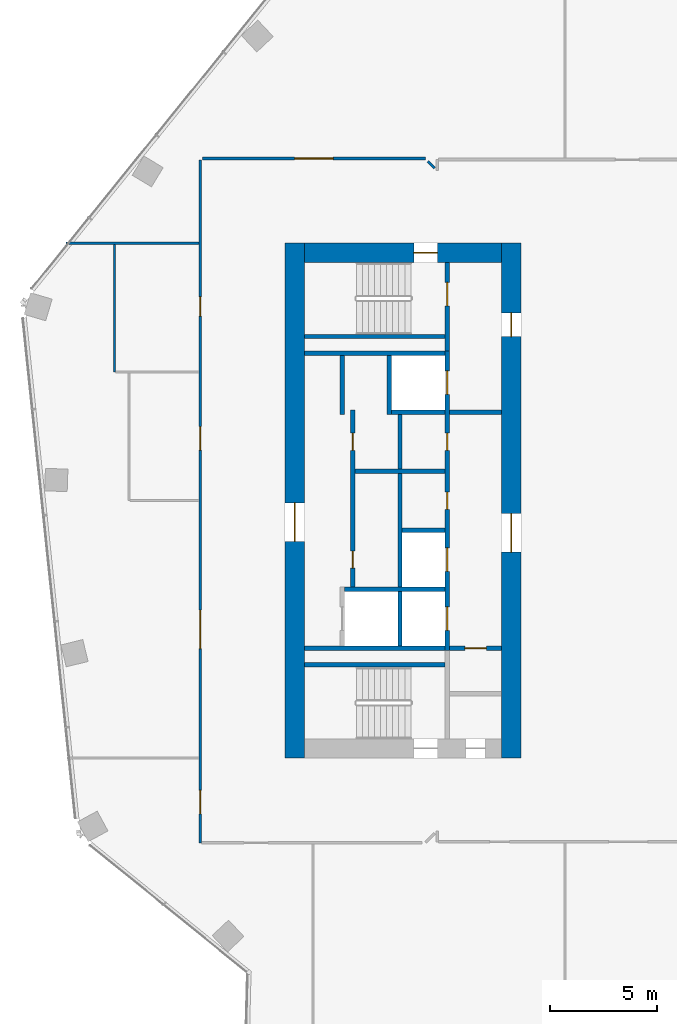
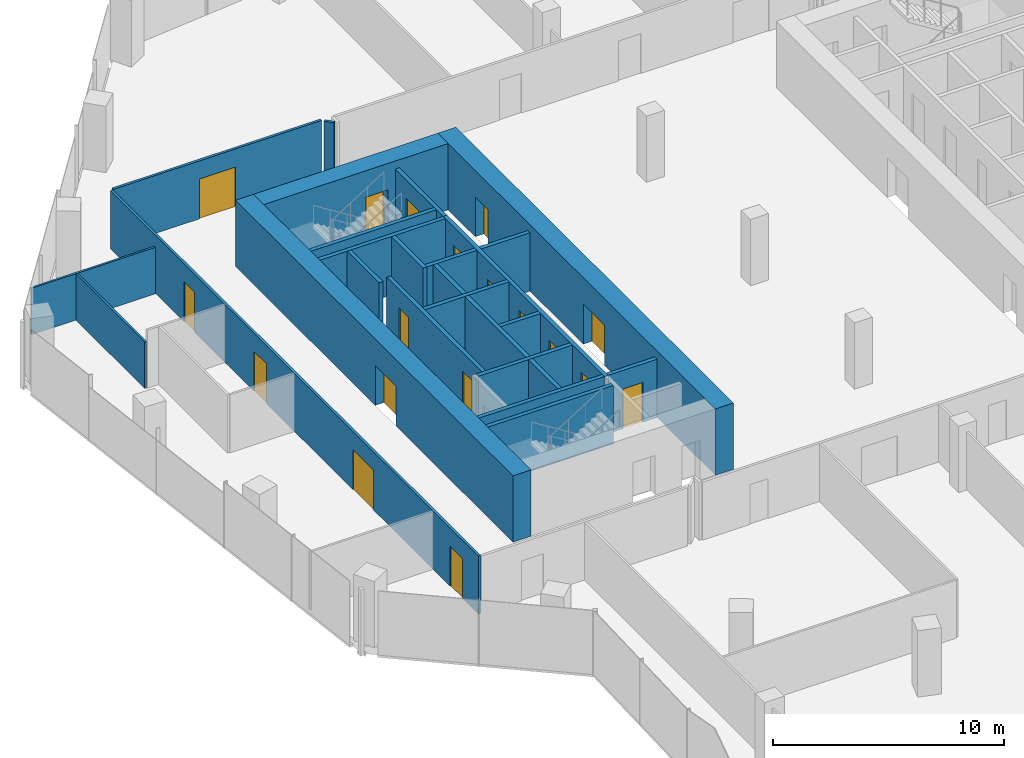
# One storey, part 19 of 23: 26 walls, 18 doors, 18 openings.
"""IFC4 building model written with IfcOpenShell, lengths in metres."""

from ifc_helpers import new_model, si_unit, direction, frame, frame_2d, origin, place, context, subcontext, project, spatial, rectangle, extrude, material, layer, layer_set, type_object, element, fill, save


model = new_model("IFC4")

# Units and contexts
model_context = context("Model", 3, precision=1e-05, world=origin(), true_north=direction((0.0, 1.0)))
body_context = subcontext(model_context, "Body", "Model", "MODEL_VIEW")
ifc_project = project(units=[si_unit("LENGTHUNIT", "METRE"), si_unit("AREAUNIT", "SQUARE_METRE"), si_unit("VOLUMEUNIT", "CUBIC_METRE"), si_unit("PLANEANGLEUNIT", "RADIAN"), si_unit("MASSUNIT", "GRAM", prefix="KILO")], contexts=[model_context])

# Site, building, storey
site_placement = place(None, origin())
site = spatial("IfcSite", under=ifc_project, at=site_placement, CompositionType="ELEMENT")
building_placement = place(site_placement, origin())
building = spatial("IfcBuilding", under=site, at=building_placement, Name="Orlundy Tower", CompositionType="ELEMENT")
storey_placement = place(building_placement, frame((0.0, 0.0, 224.5)))
storey = spatial("IfcBuildingStorey", under=building, at=storey_placement, Name="L59", CompositionType="ELEMENT", Elevation=224.5)

# Wall, opening, door
ifc_material_1 = material(Name="Concrete C60/75", Category="concrete")
ifc_layer_1 = layer(ifc_material_1, 0.89990234375)
ifc_layer_set_1 = layer_set([ifc_layer_1], Name="CORE WALL 900 C60/75")
wall_type_1 = type_object("IfcWallType", Name="CORE WALL 900 C60/75", PredefinedType="SHEAR", material=ifc_layer_set_1)
wall_1_placement = place(storey_placement, frame((-18.10009765625, 11.550048828125, 0.0), z_axis=(0.0, 0.0, 1.0), x_axis=(1.0, 0.0, 0.0)))
wall_1 = element("IfcWall", 1, at=wall_1_placement, inside=storey, type_object=wall_type_1, Name="Core wall W-N L59", PredefinedType="SHEAR", context=body_context, shape_type="SweptSolid", body=[
    extrude(rectangle(XDim=9.2001953125, YDim=0.89990234375, at=frame_2d((4.60009765625, 0.0))), origin(), (0.0, 0.0, 1.0), 3.5),
])
opening_1_placement = place(wall_1_placement, frame((5.10009765625, 0.0, 0.0)))
opening_1 = element("IfcOpeningElement", 2, at=opening_1_placement, cuts=wall_1, Name="Opening 45012", PredefinedType="OPENING", context=body_context, shape_type="SweptSolid", body=[
    extrude(rectangle(XDim=1.10009765625, YDim=2.10009765625, at=frame_2d((0.550048828125, 1.050048828125))), frame((0.0, 0.4599609375, 0.0), z_axis=(0.0, -1.0, 0.0), x_axis=(1.0, 0.0, 0.0)), (0.0, 0.0, 1.0), 0.919921875),
])
ifc_material_2 = material(Name="Steel door set", Category="steel")
door_type_1 = type_object("IfcDoorType", Name="Stair Door 1100x2100", OperationType="SINGLE_SWING_LEFT", PredefinedType="DOOR", material=ifc_material_2)
door_1_placement = place(opening_1_placement, origin())
door_1 = element("IfcDoor", 3, at=door_1_placement, inside=storey, type_object=door_type_1, Name="Stair door 45012", OperationType="SINGLE_SWING_RIGHT", OverallHeight=2.10009765625, OverallWidth=1.10009765625, PredefinedType="DOOR", context=body_context, shape_type="SweptSolid", body=[
    extrude(rectangle(XDim=1.10009765625, YDim=2.10009765625, at=frame_2d((0.550048828125, 1.050048828125))), frame((0.0, 0.02490234375, 0.0), z_axis=(0.0, -1.0, 0.0), x_axis=(1.0, 0.0, 0.0)), (0.0, 0.0, 1.0), 0.050048828125),
])
fill(opening_1, door_1)

wall_2_placement = place(storey_placement, frame((-18.550048828125, -12.0, 0.0), z_axis=(0.0, 0.0, 1.0), x_axis=(0.0, 1.0, 0.0)))
wall_2 = element("IfcWall", 4, at=wall_2_placement, inside=storey, type_object=wall_type_1, Name="Core wall W-W L59", PredefinedType="SHEAR", context=body_context, shape_type="SweptSolid", body=[
    extrude(rectangle(XDim=24.0, YDim=0.89990234375, at=frame_2d((12.0, 0.0))), origin(), (0.0, 0.0, 1.0), 3.5),
])
opening_2_placement = place(wall_2_placement, frame((10.10009765625, 0.0, 0.0)))
opening_2 = element("IfcOpeningElement", 5, at=opening_2_placement, cuts=wall_2, Name="Opening 45010", PredefinedType="OPENING", context=body_context, shape_type="SweptSolid", body=[
    extrude(rectangle(XDim=1.800048828125, YDim=2.10009765625, at=frame_2d((0.89990234375, 1.050048828125))), frame((0.0, 0.4599609375, 0.0), z_axis=(0.0, -1.0, 0.0), x_axis=(1.0, 0.0, 0.0)), (0.0, 0.0, 1.0), 0.919921875),
])
ifc_material_3 = material(Name="Timber door set", Category="wood")
door_type_2 = type_object("IfcDoorType", Name="Lobby Door 1800x2100", OperationType="DOUBLE_DOOR_DOUBLE_SWING", PredefinedType="DOOR", material=ifc_material_3)
door_2_placement = place(opening_2_placement, origin())
door_2 = element("IfcDoor", 6, at=door_2_placement, inside=storey, type_object=door_type_2, Name="Lift lobby door 45010", OperationType="SINGLE_SWING_LEFT", OverallHeight=2.10009765625, OverallWidth=1.800048828125, PredefinedType="DOOR", context=body_context, shape_type="SweptSolid", body=[
    extrude(rectangle(XDim=1.800048828125, YDim=2.10009765625, at=frame_2d((0.89990234375, 1.050048828125))), frame((0.0, 0.02490234375, 0.0), z_axis=(0.0, -1.0, 0.0), x_axis=(1.0, 0.0, 0.0)), (0.0, 0.0, 1.0), 0.050048828125),
])
fill(opening_2, door_2)

# Wall, openings, doors
wall_3_placement = place(storey_placement, frame((-8.449951171875, -12.0, 0.0), z_axis=(0.0, 0.0, 1.0), x_axis=(0.0, 1.0, 0.0)))
wall_3 = element("IfcWall", 7, at=wall_3_placement, inside=storey, type_object=wall_type_1, Name="Core wall W-E L59", PredefinedType="SHEAR", context=body_context, shape_type="SweptSolid", body=[
    extrude(rectangle(XDim=24.0, YDim=0.89990234375, at=frame_2d((12.0, 0.0))), origin(), (0.0, 0.0, 1.0), 3.5),
])
opening_3_placement = place(wall_3_placement, frame((9.60009765625, 0.0, 0.0)))
opening_3 = element("IfcOpeningElement", 8, at=opening_3_placement, cuts=wall_3, Name="Opening 45009", PredefinedType="OPENING", context=body_context, shape_type="SweptSolid", body=[
    extrude(rectangle(XDim=1.800048828125, YDim=2.10009765625, at=frame_2d((0.89990234375, 1.050048828125))), frame((0.0, 0.4599609375, 0.0), z_axis=(0.0, -1.0, 0.0), x_axis=(1.0, 0.0, 0.0)), (0.0, 0.0, 1.0), 0.919921875),
])
opening_4_placement = place(wall_3_placement, frame((19.64990234375, 0.0, 0.0)))
opening_4 = element("IfcOpeningElement", 9, at=opening_4_placement, cuts=wall_3, Name="Opening 45011", PredefinedType="OPENING", context=body_context, shape_type="SweptSolid", body=[
    extrude(rectangle(XDim=1.10009765625, YDim=2.10009765625, at=frame_2d((0.550048828125, 1.050048828125))), frame((0.0, 0.4599609375, 0.0), z_axis=(0.0, -1.0, 0.0), x_axis=(1.0, 0.0, 0.0)), (0.0, 0.0, 1.0), 0.919921875),
])
ifc_material_4 = material(Name="Steel door set", Category="steel")
door_type_3 = type_object("IfcDoorType", Name="Fire-fighting Lobby Door 1100x2100", OperationType="SINGLE_SWING_LEFT", PredefinedType="DOOR", material=ifc_material_4)
door_3_placement = place(opening_4_placement, origin())
door_3 = element("IfcDoor", 10, at=door_3_placement, inside=storey, type_object=door_type_3, Name="Fire-fighting lobby door 45011", OperationType="SINGLE_SWING_RIGHT", OverallHeight=2.10009765625, OverallWidth=1.10009765625, PredefinedType="DOOR", context=body_context, shape_type="SweptSolid", body=[
    extrude(rectangle(XDim=1.10009765625, YDim=2.10009765625, at=frame_2d((0.550048828125, 1.050048828125))), frame((0.0, 0.02490234375, 0.0), z_axis=(0.0, -1.0, 0.0), x_axis=(1.0, 0.0, 0.0)), (0.0, 0.0, 1.0), 0.050048828125),
])
fill(opening_4, door_3)
door_4_placement = place(opening_3_placement, origin())
door_4 = element("IfcDoor", 11, at=door_4_placement, inside=storey, type_object=door_type_2, Name="Lift lobby door 45009", OperationType="SINGLE_SWING_LEFT", OverallHeight=2.10009765625, OverallWidth=1.800048828125, PredefinedType="DOOR", context=body_context, shape_type="SweptSolid", body=[
    extrude(rectangle(XDim=1.800048828125, YDim=2.10009765625, at=frame_2d((0.89990234375, 1.050048828125))), frame((0.0, 0.02490234375, 0.0), z_axis=(0.0, -1.0, 0.0), x_axis=(1.0, 0.0, 0.0)), (0.0, 0.0, 1.0), 0.050048828125),
])
fill(opening_3, door_4)

# Walls
ifc_material_5 = material(Name="Gypsum board partition")
ifc_layer_2 = layer(ifc_material_5, 0.10009765625)
ifc_layer_set_2 = layer_set([ifc_layer_2], Name="Floor partition 100 B")
wall_type_2 = type_object("IfcWallType", Name="Floor partition 100 B", PredefinedType="PARTITIONING", material=ifc_layer_set_2)
wall_4_placement = place(storey_placement, frame((-29.20703125, 12.0, 0.0), z_axis=(0.0, 0.0, 1.0), x_axis=(1.0, 0.0, 0.0)))
element("IfcWall", 12, at=wall_4_placement, inside=storey, type_object=wall_type_2, Name="wall-int-L59-013", PredefinedType="PARTITIONING", context=body_context, shape_type="SweptSolid", body=[
    extrude(rectangle(XDim=6.195068359375, YDim=0.10009765625, at=frame_2d((3.09765625, 0.0))), origin(), (0.0, 0.0, 1.0), 2.448974609375),
])
wall_5_placement = place(storey_placement, frame((-26.947998046875, 6.0009765625, 0.0), z_axis=(0.0, 0.0, 1.0), x_axis=(0.0, 1.0, 0.0)))
element("IfcWall", 13, at=wall_5_placement, inside=storey, type_object=wall_type_2, Name="wall-int-L59-036", PredefinedType="PARTITIONING", context=body_context, shape_type="SweptSolid", body=[
    extrude(rectangle(XDim=5.948974609375, YDim=0.10009765625, at=frame_2d((2.974609375, 0.0))), origin(), (0.0, 0.0, 1.0), 2.448974609375),
])
ifc_material_6 = material(Name="Gypsum board partition, double layer")
ifc_layer_3 = layer(ifc_material_6, 0.125)
ifc_layer_set_3 = layer_set([ifc_layer_3], Name="Floor partition 125")
wall_type_3 = type_object("IfcWallType", Name="Floor partition 125", PredefinedType="PARTITIONING", material=ifc_layer_set_3)
wall_6_placement = place(storey_placement, frame((-12.345947265625, 15.823974609375, 0.0), z_axis=(0.0, 0.0, 1.0), x_axis=(0.707106781187, -0.707106781187, 0.0)))
element("IfcWall", 14, at=wall_6_placement, inside=storey, type_object=wall_type_3, Name="wall-int-L59-002", PredefinedType="PARTITIONING", context=body_context, shape_type="SweptSolid", body=[
    extrude(rectangle(XDim=0.4482421875, YDim=0.125, at=frame_2d((0.22412109375, 0.0))), origin(), (0.0, 0.0, 1.0), 3.06005859375),
])

# Wall, opening, door
wall_7_placement = place(storey_placement, frame((-22.844970703125, 15.950927734375, 0.0), z_axis=(0.0, 0.0, 1.0), x_axis=(1.0, 0.0, 0.0)))
wall_7 = element("IfcWall", 15, at=wall_7_placement, inside=storey, type_object=wall_type_3, Name="wall-int-L59-016", PredefinedType="PARTITIONING", context=body_context, shape_type="SweptSolid", body=[
    extrude(rectangle(XDim=10.385009765625, YDim=0.125, at=frame_2d((5.1923828125, 0.0))), origin(), (0.0, 0.0, 1.0), 3.06005859375),
])
opening_5_placement = place(wall_7_placement, frame((4.28759765625, 0.0, 0.0)))
opening_5 = element("IfcOpeningElement", 16, at=opening_5_placement, cuts=wall_7, Name="Opening 45114", PredefinedType="OPENING", context=body_context, shape_type="SweptSolid", body=[
    extrude(rectangle(XDim=1.800048828125, YDim=2.10009765625, at=frame_2d((0.89990234375, 1.050048828125))), frame((0.0, 0.072509765625, 0.0), z_axis=(0.0, -1.0, 0.0), x_axis=(1.0, 0.0, 0.0)), (0.0, 0.0, 1.0), 0.14501953125),
])
ifc_material_7 = material(Name="Timber door leaf", Category="wood")
door_type_4 = type_object("IfcDoorType", Name="Floor door double 1800 FD30S", OperationType="NOTDEFINED", PredefinedType="DOOR", material=ifc_material_7)
door_5_placement = place(opening_5_placement, origin())
door_5 = element("IfcDoor", 17, at=door_5_placement, inside=storey, type_object=door_type_4, Name="Door 45114", OperationType="DOUBLE_DOOR_SINGLE_SWING", OverallHeight=2.10009765625, OverallWidth=1.800048828125, PredefinedType="DOOR", context=body_context, shape_type="SweptSolid", body=[
    extrude(rectangle(XDim=1.800048828125, YDim=2.10009765625, at=frame_2d((0.89990234375, 1.050048828125))), frame((0.0, 0.02490234375, 0.0), z_axis=(0.0, -1.0, 0.0), x_axis=(1.0, 0.0, 0.0)), (0.0, 0.0, 1.0), 0.050048828125),
])
fill(opening_5, door_5)

# Wall, openings, doors
wall_8_placement = place(storey_placement, frame((-22.949951171875, -15.950927734375, 0.0), z_axis=(0.0, 0.0, 1.0), x_axis=(0.0, 1.0, 0.0)))
wall_8 = element("IfcWall", 18, at=wall_8_placement, inside=storey, type_object=wall_type_3, Name="wall-int-L59-034", PredefinedType="PARTITIONING", context=body_context, shape_type="SweptSolid", body=[
    extrude(rectangle(XDim=31.828857421875, YDim=0.125, at=frame_2d((15.91455078125, 0.0))), origin(), (0.0, 0.0, 1.0), 3.06005859375),
])
opening_6_placement = place(wall_8_placement, frame((1.35009765625, 0.0, 0.0)))
opening_6 = element("IfcOpeningElement", 19, at=opening_6_placement, cuts=wall_8, Name="Opening 45100", PredefinedType="OPENING", context=body_context, shape_type="SweptSolid", body=[
    extrude(rectangle(XDim=1.10009765625, YDim=2.10009765625, at=frame_2d((0.550048828125, 1.050048828125))), frame((0.0, 0.072509765625, 0.0), z_axis=(0.0, -1.0, 0.0), x_axis=(1.0, 0.0, 0.0)), (0.0, 0.0, 1.0), 0.14501953125),
])
opening_7_placement = place(wall_8_placement, frame((9.051025390625, 0.0, 0.0)))
opening_7 = element("IfcOpeningElement", 20, at=opening_7_placement, cuts=wall_8, Name="Opening 45115", PredefinedType="OPENING", context=body_context, shape_type="SweptSolid", body=[
    extrude(rectangle(XDim=1.800048828125, YDim=2.10009765625, at=frame_2d((0.89990234375, 1.050048828125))), frame((0.0, 0.072509765625, 0.0), z_axis=(0.0, -1.0, 0.0), x_axis=(1.0, 0.0, 0.0)), (0.0, 0.0, 1.0), 0.14501953125),
])
opening_8_placement = place(wall_8_placement, frame((24.552001953125, 0.0, 0.0)))
opening_8 = element("IfcOpeningElement", 21, at=opening_8_placement, cuts=wall_8, Name="Opening 45116", PredefinedType="OPENING", context=body_context, shape_type="SweptSolid", body=[
    extrude(rectangle(XDim=0.89990234375, YDim=2.10009765625, at=frame_2d((0.449951171875, 1.050048828125))), frame((0.0, 0.072509765625, 0.0), z_axis=(0.0, -1.0, 0.0), x_axis=(1.0, 0.0, 0.0)), (0.0, 0.0, 1.0), 0.14501953125),
])
opening_9_placement = place(wall_8_placement, frame((18.302978515625, 0.0, 0.0)))
opening_9 = element("IfcOpeningElement", 22, at=opening_9_placement, cuts=wall_8, Name="Opening 45117", PredefinedType="OPENING", context=body_context, shape_type="SweptSolid", body=[
    extrude(rectangle(XDim=1.10009765625, YDim=2.10009765625, at=frame_2d((0.550048828125, 1.050048828125))), frame((0.0, 0.072509765625, 0.0), z_axis=(0.0, -1.0, 0.0), x_axis=(1.0, 0.0, 0.0)), (0.0, 0.0, 1.0), 0.14501953125),
])
door_6_placement = place(opening_7_placement, origin())
door_6 = element("IfcDoor", 23, at=door_6_placement, inside=storey, type_object=door_type_4, Name="Door 45115", OperationType="DOUBLE_DOOR_SINGLE_SWING", OverallHeight=2.10009765625, OverallWidth=1.800048828125, PredefinedType="DOOR", context=body_context, shape_type="SweptSolid", body=[
    extrude(rectangle(XDim=1.800048828125, YDim=2.10009765625, at=frame_2d((0.89990234375, 1.050048828125))), frame((0.0, 0.02490234375, 0.0), z_axis=(0.0, -1.0, 0.0), x_axis=(1.0, 0.0, 0.0)), (0.0, 0.0, 1.0), 0.050048828125),
])
fill(opening_7, door_6)
ifc_material_8 = material(Name="Timber door leaf", Category="wood")
door_type_5 = type_object("IfcDoorType", Name="Floor door single 900 FD30S", OperationType="NOTDEFINED", PredefinedType="DOOR", material=ifc_material_8)
door_7_placement = place(opening_8_placement, origin())
door_7 = element("IfcDoor", 24, at=door_7_placement, inside=storey, type_object=door_type_5, Name="Door 45116", OperationType="SINGLE_SWING_RIGHT", OverallHeight=2.10009765625, OverallWidth=0.89990234375, PredefinedType="DOOR", context=body_context, shape_type="SweptSolid", body=[
    extrude(rectangle(XDim=0.89990234375, YDim=2.10009765625, at=frame_2d((0.449951171875, 1.050048828125))), frame((0.0, 0.02490234375, 0.0), z_axis=(0.0, -1.0, 0.0), x_axis=(1.0, 0.0, 0.0)), (0.0, 0.0, 1.0), 0.050048828125),
])
fill(opening_8, door_7)
ifc_material_9 = material(Name="Timber door leaf", Category="wood")
door_type_6 = type_object("IfcDoorType", Name="Floor door xwide 1100 FD30S", OperationType="NOTDEFINED", PredefinedType="DOOR", material=ifc_material_9)
door_8_placement = place(opening_6_placement, origin())
door_8 = element("IfcDoor", 25, at=door_8_placement, inside=storey, type_object=door_type_6, Name="Door 45100", OperationType="SINGLE_SWING_LEFT", OverallHeight=2.10009765625, OverallWidth=1.10009765625, PredefinedType="DOOR", context=body_context, shape_type="SweptSolid", body=[
    extrude(rectangle(XDim=1.10009765625, YDim=2.10009765625, at=frame_2d((0.550048828125, 1.050048828125))), frame((0.0, 0.02490234375, 0.0), z_axis=(0.0, -1.0, 0.0), x_axis=(1.0, 0.0, 0.0)), (0.0, 0.0, 1.0), 0.050048828125),
])
fill(opening_6, door_8)
door_9_placement = place(opening_9_placement, origin())
door_9 = element("IfcDoor", 26, at=door_9_placement, inside=storey, type_object=door_type_6, Name="Door 45117", OperationType="SINGLE_SWING_RIGHT", OverallHeight=2.10009765625, OverallWidth=1.10009765625, PredefinedType="DOOR", context=body_context, shape_type="SweptSolid", body=[
    extrude(rectangle(XDim=1.10009765625, YDim=2.10009765625, at=frame_2d((0.550048828125, 1.050048828125))), frame((0.0, 0.02490234375, 0.0), z_axis=(0.0, -1.0, 0.0), x_axis=(1.0, 0.0, 0.0)), (0.0, 0.0, 1.0), 0.050048828125),
])
fill(opening_9, door_9)

# Wall, opening, door
ifc_material_10 = material(Name="Concrete C40/50", Category="concrete")
ifc_layer_4 = layer(ifc_material_10, 0.199951171875)
ifc_layer_set_4 = layer_set([ifc_layer_4], Name="Load-bearing Shaft Wall 200")
wall_type_4 = type_object("IfcWallType", Name="Load-bearing Shaft Wall 200", PredefinedType="SOLIDWALL", material=ifc_layer_set_4)
wall_9_placement = place(storey_placement, frame((-11.43994140625, 6.97509765625, 0.0), z_axis=(0.0, 0.0, 1.0), x_axis=(0.0, 1.0, 0.0)))
wall_9 = element("IfcWall", 27, at=wall_9_placement, inside=storey, type_object=wall_type_4, Name="Shaft wall W45-stair-end-n", PredefinedType="SOLIDWALL", context=body_context, shape_type="SweptSolid", body=[
    extrude(rectangle(XDim=4.125, YDim=0.199951171875, at=frame_2d((2.0625, 0.0))), origin(), (0.0, 0.0, 1.0), 3.080078125),
])
opening_10_placement = place(wall_9_placement, frame((2.10009765625, 0.0, 0.0)))
opening_10 = element("IfcOpeningElement", 28, at=opening_10_placement, cuts=wall_9, Name="Opening 45014", PredefinedType="OPENING", context=body_context, shape_type="SweptSolid", body=[
    extrude(rectangle(XDim=1.10009765625, YDim=2.10009765625, at=frame_2d((0.550048828125, 1.050048828125))), frame((0.0, 0.110107421875, 0.0), z_axis=(0.0, -1.0, 0.0), x_axis=(1.0, 0.0, 0.0)), (0.0, 0.0, 1.0), 0.22021484375),
])
door_10_placement = place(opening_10_placement, origin())
door_10 = element("IfcDoor", 29, at=door_10_placement, inside=storey, type_object=door_type_3, Name="Fire-fighting lobby to stair door 45014", OperationType="SINGLE_SWING_RIGHT", OverallHeight=2.10009765625, OverallWidth=1.10009765625, PredefinedType="DOOR", context=body_context, shape_type="SweptSolid", body=[
    extrude(rectangle(XDim=1.10009765625, YDim=2.10009765625, at=frame_2d((0.550048828125, 1.050048828125))), frame((0.0, 0.02490234375, 0.0), z_axis=(0.0, -1.0, 0.0), x_axis=(1.0, 0.0, 0.0)), (0.0, 0.0, 1.0), 0.050048828125),
])
fill(opening_10, door_10)

# Walls
for number, where, z_axis, x_axis, name in (
    (30, (-11.5400390625, 7.64990234375, 0.0), (0.0, 0.0, 1.0), (-1.0, 0.0, 0.0), "Shaft wall W45-stair-side-n"),
    (31, (-11.5400390625, -7.64990234375, 0.0), (0.0, 0.0, 1.0), (-1.0, 0.0, 0.0), "Shaft wall W45-stair-side-s"),
):
    element("IfcWall", number, at=place(storey_placement, frame(where, z_axis=z_axis, x_axis=x_axis)), inside=storey, type_object=wall_type_4, Name=name, PredefinedType="SOLIDWALL", context=body_context, shape_type="SweptSolid", body=[
        extrude(rectangle(XDim=6.56005859375, YDim=0.199951171875, at=frame_2d((3.280029296875, 0.0))), origin(), (0.0, 0.0, 1.0), 3.080078125),
    ])
ifc_material_11 = material(Name="Gypsum board partition on steel studs", Category="steel")
ifc_layer_5 = layer(ifc_material_11, 0.199951171875)
ifc_layer_set_5 = layer_set([ifc_layer_5], Name="Partition 200")
wall_type_5 = type_object("IfcWallType", Name="Partition 200", PredefinedType="PARTITIONING", material=ifc_layer_set_5)
wall_10_placement = place(storey_placement, frame((-8.89990234375, 4.125, 0.0), z_axis=(0.0, 0.0, 1.0), x_axis=(-1.0, 0.0, 0.0)))
element("IfcWall", 32, at=wall_10_placement, inside=storey, type_object=wall_type_5, Name="Partition wall W45-lobby-n", PredefinedType="PARTITIONING", context=body_context, shape_type="SweptSolid", body=[
    extrude(rectangle(XDim=2.440185546875, YDim=0.199951171875, at=frame_2d((1.22021484375, 0.0))), origin(), (0.0, 0.0, 1.0), 3.080078125),
])

# Wall, opening, door
wall_11_placement = place(storey_placement, frame((-8.89990234375, -6.875, 0.0), z_axis=(0.0, 0.0, 1.0), x_axis=(-1.0, 0.0, 0.0)))
wall_11 = element("IfcWall", 33, at=wall_11_placement, inside=storey, type_object=wall_type_5, Name="Partition wall W45-end-s", PredefinedType="PARTITIONING", context=body_context, shape_type="SweptSolid", body=[
    extrude(rectangle(XDim=2.440185546875, YDim=0.199951171875, at=frame_2d((1.22021484375, 0.0))), origin(), (0.0, 0.0, 1.0), 3.080078125),
])
opening_11_placement = place(wall_11_placement, frame((0.719970703125, 0.0, 0.0)))
opening_11 = element("IfcOpeningElement", 34, at=opening_11_placement, cuts=wall_11, Name="Opening 45016", PredefinedType="OPENING", context=body_context, shape_type="SweptSolid", body=[
    extrude(rectangle(XDim=1.0, YDim=2.10009765625, at=frame_2d((0.5, 1.050048828125))), frame((0.0, 0.110107421875, 0.0), z_axis=(0.0, -1.0, 0.0), x_axis=(1.0, 0.0, 0.0)), (0.0, 0.0, 1.0), 0.22021484375),
])
ifc_material_12 = material(Name="Timber door set", Category="wood")
door_type_7 = type_object("IfcDoorType", Name="Accessible Door 1000x2100", OperationType="SINGLE_SWING_LEFT", PredefinedType="DOOR", material=ifc_material_12)
door_11_placement = place(opening_11_placement, origin())
door_11 = element("IfcDoor", 35, at=door_11_placement, inside=storey, type_object=door_type_7, Name="Accessible WC door 45016", OperationType="SINGLE_SWING_RIGHT", OverallHeight=2.10009765625, OverallWidth=1.0, PredefinedType="DOOR", context=body_context, shape_type="SweptSolid", body=[
    extrude(rectangle(XDim=1.0, YDim=2.10009765625, at=frame_2d((0.5, 1.050048828125))), frame((0.0, 0.02490234375, 0.0), z_axis=(0.0, -1.0, 0.0), x_axis=(1.0, 0.0, 0.0)), (0.0, 0.0, 1.0), 0.050048828125),
])
fill(opening_11, door_11)

# Walls
ifc_material_13 = material(Name="Fire-rated blockwork shaft wall", Category="masonry")
ifc_layer_6 = layer(ifc_material_13, 0.199951171875)
ifc_layer_set_6 = layer_set([ifc_layer_6], Name="Shaft Wall 200")
wall_type_6 = type_object("IfcWallType", Name="Shaft Wall 200", PredefinedType="SOLIDWALL", material=ifc_layer_set_6)
for number, where, z_axis, x_axis, name in (
    (36, (-11.5400390625, 6.875, 0.0), (0.0, 0.0, 1.0), (-1.0, 0.0, 0.0), "Shaft wall W45-zone-n"),
    (37, (-11.5400390625, -6.875, 0.0), (0.0, 0.0, 1.0), (-1.0, 0.0, 0.0), "Shaft wall W45-zone-s"),
):
    element("IfcWall", number, at=place(storey_placement, frame(where, z_axis=z_axis, x_axis=x_axis)), inside=storey, type_object=wall_type_6, Name=name, PredefinedType="SOLIDWALL", context=body_context, shape_type="SweptSolid", body=[
        extrude(rectangle(XDim=6.56005859375, YDim=0.199951171875, at=frame_2d((3.280029296875, 0.0))), origin(), (0.0, 0.0, 1.0), 3.080078125),
    ])
wall_12_placement = place(storey_placement, frame((-11.5400390625, -4.125, 0.0), z_axis=(0.0, 0.0, 1.0), x_axis=(-1.0, 0.0, 0.0)))
element("IfcWall", 38, at=wall_12_placement, inside=storey, type_object=wall_type_6, Name="Shaft wall W45-cross-4.125", PredefinedType="SOLIDWALL", context=body_context, shape_type="SweptSolid", body=[
    extrude(rectangle(XDim=4.699951171875, YDim=0.199951171875, at=frame_2d((2.35009765625, 0.0))), origin(), (0.0, 0.0, 1.0), 3.080078125),
])
wall_13_placement = place(storey_placement, frame((-11.5400390625, -1.375, 0.0), z_axis=(0.0, 0.0, 1.0), x_axis=(-1.0, 0.0, 0.0)))
element("IfcWall", 39, at=wall_13_placement, inside=storey, type_object=wall_type_6, Name="Shaft wall W45-cross-1.375", PredefinedType="SOLIDWALL", context=body_context, shape_type="SweptSolid", body=[
    extrude(rectangle(XDim=2.0, YDim=0.199951171875, at=frame_2d((1.0, 0.0))), origin(), (0.0, 0.0, 1.0), 3.080078125),
])
wall_14_placement = place(storey_placement, frame((-11.5400390625, 1.375, 0.0), z_axis=(0.0, 0.0, 1.0), x_axis=(-1.0, 0.0, 0.0)))
element("IfcWall", 40, at=wall_14_placement, inside=storey, type_object=wall_type_6, Name="Shaft wall W45-cross+1.375", PredefinedType="SOLIDWALL", context=body_context, shape_type="SweptSolid", body=[
    extrude(rectangle(XDim=4.199951171875, YDim=0.199951171875, at=frame_2d((2.10009765625, 0.0))), origin(), (0.0, 0.0, 1.0), 3.080078125),
])
wall_15_placement = place(storey_placement, frame((-11.5400390625, 4.125, 0.0), z_axis=(0.0, 0.0, 1.0), x_axis=(-1.0, 0.0, 0.0)))
element("IfcWall", 41, at=wall_15_placement, inside=storey, type_object=wall_type_6, Name="Shaft wall W45-cross+4.125", PredefinedType="SOLIDWALL", context=body_context, shape_type="SweptSolid", body=[
    extrude(rectangle(XDim=2.5, YDim=0.199951171875, at=frame_2d((1.25, 0.0))), origin(), (0.0, 0.0, 1.0), 3.080078125),
])

# Wall, openings, doors
wall_16_placement = place(storey_placement, frame((-11.43994140625, -6.97509765625, 0.0), z_axis=(0.0, 0.0, 1.0), x_axis=(0.0, 1.0, 0.0)))
wall_16 = element("IfcWall", 42, at=wall_16_placement, inside=storey, type_object=wall_type_6, Name="Shaft wall W45-front-h", PredefinedType="SOLIDWALL", context=body_context, shape_type="SweptSolid", body=[
    extrude(rectangle(XDim=13.9501953125, YDim=0.199951171875, at=frame_2d((6.97509765625, 0.0))), origin(), (0.0, 0.0, 1.0), 3.080078125),
])
opening_12_placement = place(wall_16_placement, frame((0.925048828125, 0.0, 0.0)))
opening_12 = element("IfcOpeningElement", 43, at=opening_12_placement, cuts=wall_16, Name="Opening 45001", PredefinedType="OPENING", context=body_context, shape_type="SweptSolid", body=[
    extrude(rectangle(XDim=1.10009765625, YDim=2.10009765625, at=frame_2d((0.550048828125, 1.050048828125))), frame((0.0, 0.110107421875, 0.0), z_axis=(0.0, -1.0, 0.0), x_axis=(1.0, 0.0, 0.0)), (0.0, 0.0, 1.0), 0.22021484375),
])
opening_13_placement = place(wall_16_placement, frame((3.675048828125, 0.0, 0.0)))
opening_13 = element("IfcOpeningElement", 44, at=opening_13_placement, cuts=wall_16, Name="Opening 45003", PredefinedType="OPENING", context=body_context, shape_type="SweptSolid", body=[
    extrude(rectangle(XDim=1.10009765625, YDim=2.10009765625, at=frame_2d((0.550048828125, 1.050048828125))), frame((0.0, 0.110107421875, 0.0), z_axis=(0.0, -1.0, 0.0), x_axis=(1.0, 0.0, 0.0)), (0.0, 0.0, 1.0), 0.22021484375),
])
opening_14_placement = place(wall_16_placement, frame((11.925048828125, 0.0, 0.0)))
opening_14 = element("IfcOpeningElement", 45, at=opening_14_placement, cuts=wall_16, Name="Opening 45004", PredefinedType="OPENING", context=body_context, shape_type="SweptSolid", body=[
    extrude(rectangle(XDim=1.10009765625, YDim=2.10009765625, at=frame_2d((0.550048828125, 1.050048828125))), frame((0.0, 0.110107421875, 0.0), z_axis=(0.0, -1.0, 0.0), x_axis=(1.0, 0.0, 0.0)), (0.0, 0.0, 1.0), 0.22021484375),
])
opening_15_placement = place(wall_16_placement, frame((6.574951171875, 0.0, 0.0)))
opening_15 = element("IfcOpeningElement", 46, at=opening_15_placement, cuts=wall_16, Name="Opening 45006", PredefinedType="OPENING", context=body_context, shape_type="SweptSolid", body=[
    extrude(rectangle(XDim=0.800048828125, YDim=2.10009765625, at=frame_2d((0.39990234375, 1.050048828125))), frame((0.0, 0.110107421875, 0.0), z_axis=(0.0, -1.0, 0.0), x_axis=(1.0, 0.0, 0.0)), (0.0, 0.0, 1.0), 0.22021484375),
])
opening_16_placement = place(wall_16_placement, frame((9.324951171875, 0.0, 0.0)))
opening_16 = element("IfcOpeningElement", 47, at=opening_16_placement, cuts=wall_16, Name="Opening 45007", PredefinedType="OPENING", context=body_context, shape_type="SweptSolid", body=[
    extrude(rectangle(XDim=0.800048828125, YDim=2.10009765625, at=frame_2d((0.39990234375, 1.050048828125))), frame((0.0, 0.110107421875, 0.0), z_axis=(0.0, -1.0, 0.0), x_axis=(1.0, 0.0, 0.0)), (0.0, 0.0, 1.0), 0.22021484375),
])
ifc_material_14 = material(Name="Steel door set", Category="steel")
door_type_8 = type_object("IfcDoorType", Name="Landing Door 1100x2100", OperationType="DOUBLE_DOOR_SLIDING", PredefinedType="DOOR", material=ifc_material_14)
door_12_placement = place(opening_12_placement, origin())
door_12 = element("IfcDoor", 48, at=door_12_placement, inside=storey, type_object=door_type_8, Name="Lift landing door LP-22 45001", OperationType="DOUBLE_DOOR_SLIDING", OverallHeight=2.10009765625, OverallWidth=1.10009765625, PredefinedType="DOOR", context=body_context, shape_type="SweptSolid", body=[
    extrude(rectangle(XDim=1.10009765625, YDim=2.10009765625, at=frame_2d((0.550048828125, 1.050048828125))), frame((0.0, 0.02490234375, 0.0), z_axis=(0.0, -1.0, 0.0), x_axis=(1.0, 0.0, 0.0)), (0.0, 0.0, 1.0), 0.050048828125),
])
fill(opening_12, door_12)
door_13_placement = place(opening_13_placement, origin())
door_13 = element("IfcDoor", 49, at=door_13_placement, inside=storey, type_object=door_type_8, Name="Lift landing door LP-21 45003", OperationType="DOUBLE_DOOR_SLIDING", OverallHeight=2.10009765625, OverallWidth=1.10009765625, PredefinedType="DOOR", context=body_context, shape_type="SweptSolid", body=[
    extrude(rectangle(XDim=1.10009765625, YDim=2.10009765625, at=frame_2d((0.550048828125, 1.050048828125))), frame((0.0, 0.02490234375, 0.0), z_axis=(0.0, -1.0, 0.0), x_axis=(1.0, 0.0, 0.0)), (0.0, 0.0, 1.0), 0.050048828125),
])
fill(opening_13, door_13)
door_14_placement = place(opening_14_placement, origin())
door_14 = element("IfcDoor", 50, at=door_14_placement, inside=storey, type_object=door_type_8, Name="Lift landing door FL1 45004", OperationType="DOUBLE_DOOR_SLIDING", OverallHeight=2.10009765625, OverallWidth=1.10009765625, PredefinedType="DOOR", context=body_context, shape_type="SweptSolid", body=[
    extrude(rectangle(XDim=1.10009765625, YDim=2.10009765625, at=frame_2d((0.550048828125, 1.050048828125))), frame((0.0, 0.02490234375, 0.0), z_axis=(0.0, -1.0, 0.0), x_axis=(1.0, 0.0, 0.0)), (0.0, 0.0, 1.0), 0.050048828125),
])
fill(opening_14, door_14)
ifc_material_15 = material(Name="Timber door set", Category="wood")
door_type_9 = type_object("IfcDoorType", Name="Riser Door 800x2100", OperationType="SINGLE_SWING_LEFT", PredefinedType="DOOR", material=ifc_material_15)
door_15_placement = place(opening_15_placement, origin())
door_15 = element("IfcDoor", 51, at=door_15_placement, inside=storey, type_object=door_type_9, Name="Security Store door 45006", OperationType="SINGLE_SWING_LEFT", OverallHeight=2.10009765625, OverallWidth=0.800048828125, PredefinedType="DOOR", context=body_context, shape_type="SweptSolid", body=[
    extrude(rectangle(XDim=0.800048828125, YDim=2.10009765625, at=frame_2d((0.39990234375, 1.050048828125))), frame((0.0, 0.02490234375, 0.0), z_axis=(0.0, -1.0, 0.0), x_axis=(1.0, 0.0, 0.0)), (0.0, 0.0, 1.0), 0.050048828125),
])
fill(opening_15, door_15)
door_16_placement = place(opening_16_placement, origin())
door_16 = element("IfcDoor", 52, at=door_16_placement, inside=storey, type_object=door_type_9, Name="Furniture Store door 45007", OperationType="SINGLE_SWING_LEFT", OverallHeight=2.10009765625, OverallWidth=0.800048828125, PredefinedType="DOOR", context=body_context, shape_type="SweptSolid", body=[
    extrude(rectangle(XDim=0.800048828125, YDim=2.10009765625, at=frame_2d((0.39990234375, 1.050048828125))), frame((0.0, 0.02490234375, 0.0), z_axis=(0.0, -1.0, 0.0), x_axis=(1.0, 0.0, 0.0)), (0.0, 0.0, 1.0), 0.050048828125),
])
fill(opening_16, door_16)

# Walls
wall_17_placement = place(storey_placement, frame((-13.639892578125, -6.77490234375, 0.0), z_axis=(0.0, 0.0, 1.0), x_axis=(0.0, 1.0, 0.0)))
element("IfcWall", 53, at=wall_17_placement, inside=storey, type_object=wall_type_6, Name="Shaft wall W45-mid-a", PredefinedType="SOLIDWALL", context=body_context, shape_type="SweptSolid", body=[
    extrude(rectangle(XDim=2.5498046875, YDim=0.199951171875, at=frame_2d((1.27490234375, 0.0))), origin(), (0.0, 0.0, 1.0), 3.080078125),
])
wall_18_placement = place(storey_placement, frame((-13.639892578125, -4.02490234375, 0.0), z_axis=(0.0, 0.0, 1.0), x_axis=(0.0, 1.0, 0.0)))
element("IfcWall", 54, at=wall_18_placement, inside=storey, type_object=wall_type_6, Name="Shaft wall W45-mid-a.1", PredefinedType="SOLIDWALL", context=body_context, shape_type="SweptSolid", body=[
    extrude(rectangle(XDim=5.2998046875, YDim=0.199951171875, at=frame_2d((2.64990234375, 0.0))), origin(), (0.0, 0.0, 1.0), 3.080078125),
])
wall_19_placement = place(storey_placement, frame((-13.639892578125, 1.47509765625, 0.0), z_axis=(0.0, 0.0, 1.0), x_axis=(0.0, 1.0, 0.0)))
element("IfcWall", 55, at=wall_19_placement, inside=storey, type_object=wall_type_6, Name="Shaft wall W45-mid-a.2", PredefinedType="SOLIDWALL", context=body_context, shape_type="SweptSolid", body=[
    extrude(rectangle(XDim=2.5498046875, YDim=0.199951171875, at=frame_2d((1.27490234375, 0.0))), origin(), (0.0, 0.0, 1.0), 3.080078125),
])
wall_20_placement = place(storey_placement, frame((-14.139892578125, 4.02490234375, 0.0), z_axis=(0.0, 0.0, 1.0), x_axis=(0.0, 1.0, 0.0)))
element("IfcWall", 56, at=wall_20_placement, inside=storey, type_object=wall_type_6, Name="Shaft wall W45-mid-b", PredefinedType="SOLIDWALL", context=body_context, shape_type="SweptSolid", body=[
    extrude(rectangle(XDim=2.75, YDim=0.199951171875, at=frame_2d((1.375, 0.0))), origin(), (0.0, 0.0, 1.0), 3.080078125),
])

# Wall, openings, doors
wall_21_placement = place(storey_placement, frame((-15.840087890625, -4.02490234375, 0.0), z_axis=(0.0, 0.0, 1.0), x_axis=(0.0, 1.0, 0.0)))
wall_21 = element("IfcWall", 57, at=wall_21_placement, inside=storey, type_object=wall_type_6, Name="Shaft wall W45-front-o-b", PredefinedType="SOLIDWALL", context=body_context, shape_type="SweptSolid", body=[
    extrude(rectangle(XDim=8.25, YDim=0.199951171875, at=frame_2d((4.125, 0.0))), origin(), (0.0, 0.0, 1.0), 3.080078125),
])
opening_17_placement = place(wall_21_placement, frame((0.875, 0.0, 0.0)))
opening_17 = element("IfcOpeningElement", 58, at=opening_17_placement, cuts=wall_21, Name="Opening 45005", PredefinedType="OPENING", context=body_context, shape_type="SweptSolid", body=[
    extrude(rectangle(XDim=0.800048828125, YDim=2.10009765625, at=frame_2d((0.39990234375, 1.050048828125))), frame((0.0, 0.110107421875, 0.0), z_axis=(0.0, -1.0, 0.0), x_axis=(1.0, 0.0, 0.0)), (0.0, 0.0, 1.0), 0.22021484375),
])
opening_18_placement = place(wall_21_placement, frame((6.375, 0.0, 0.0)))
opening_18 = element("IfcOpeningElement", 59, at=opening_18_placement, cuts=wall_21, Name="Opening 45008", PredefinedType="OPENING", context=body_context, shape_type="SweptSolid", body=[
    extrude(rectangle(XDim=0.800048828125, YDim=2.10009765625, at=frame_2d((0.39990234375, 1.050048828125))), frame((0.0, 0.110107421875, 0.0), z_axis=(0.0, -1.0, 0.0), x_axis=(1.0, 0.0, 0.0)), (0.0, 0.0, 1.0), 0.22021484375),
])
door_17_placement = place(opening_17_placement, origin())
door_17 = element("IfcDoor", 60, at=door_17_placement, inside=storey, type_object=door_type_9, Name="HVAC Riser door 45005", OperationType="SINGLE_SWING_LEFT", OverallHeight=2.10009765625, OverallWidth=0.800048828125, PredefinedType="DOOR", context=body_context, shape_type="SweptSolid", body=[
    extrude(rectangle(XDim=0.800048828125, YDim=2.10009765625, at=frame_2d((0.39990234375, 1.050048828125))), frame((0.0, 0.02490234375, 0.0), z_axis=(0.0, -1.0, 0.0), x_axis=(1.0, 0.0, 0.0)), (0.0, 0.0, 1.0), 0.050048828125),
])
fill(opening_17, door_17)
door_18_placement = place(opening_18_placement, origin())
door_18 = element("IfcDoor", 61, at=door_18_placement, inside=storey, type_object=door_type_9, Name="Cleaner's Store door 45008", OperationType="SINGLE_SWING_LEFT", OverallHeight=2.10009765625, OverallWidth=0.800048828125, PredefinedType="DOOR", context=body_context, shape_type="SweptSolid", body=[
    extrude(rectangle(XDim=0.800048828125, YDim=2.10009765625, at=frame_2d((0.39990234375, 1.050048828125))), frame((0.0, 0.02490234375, 0.0), z_axis=(0.0, -1.0, 0.0), x_axis=(1.0, 0.0, 0.0)), (0.0, 0.0, 1.0), 0.050048828125),
])
fill(opening_18, door_18)

# Wall
wall_22_placement = place(storey_placement, frame((-16.340087890625, 4.02490234375, 0.0), z_axis=(0.0, 0.0, 1.0), x_axis=(0.0, 1.0, 0.0)))
element("IfcWall", 62, at=wall_22_placement, inside=storey, type_object=wall_type_6, Name="Shaft wall W45-front-o-c", PredefinedType="SOLIDWALL", context=body_context, shape_type="SweptSolid", body=[
    extrude(rectangle(XDim=2.75, YDim=0.199951171875, at=frame_2d((1.375, 0.0))), origin(), (0.0, 0.0, 1.0), 3.080078125),
])

save(model, "model.ifc")
